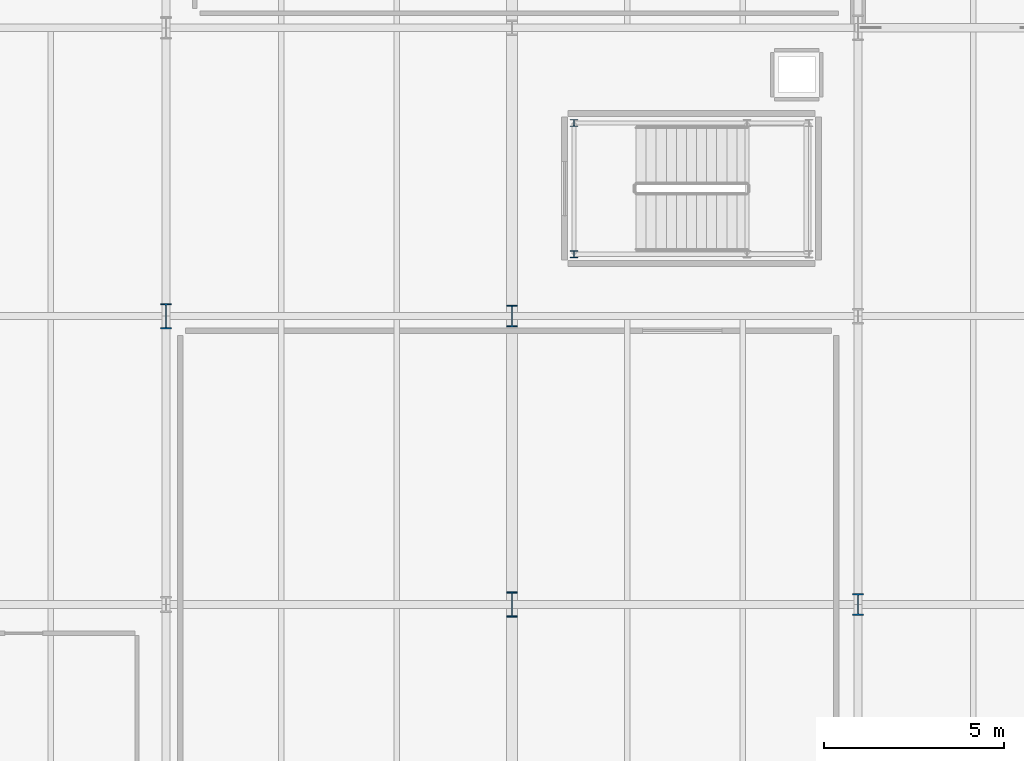
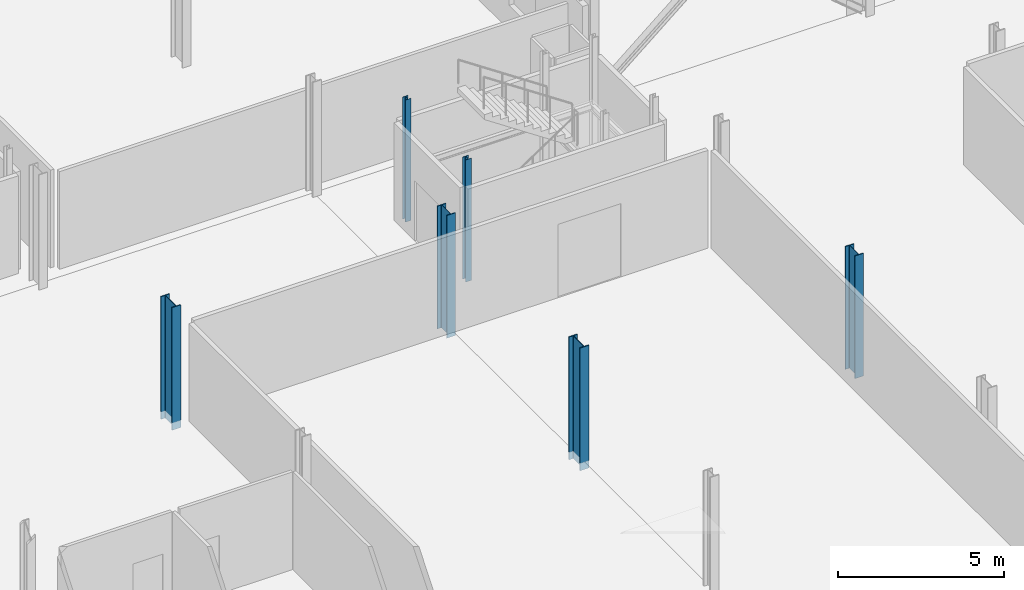
# One storey, part 12 of 78: 6 columns.
"""IFC4 building model written with IfcOpenShell, lengths in metres."""

from ifc_helpers import new_model, si_unit, direction, frame, origin, origin_2d, place, context, subcontext, project, spatial, i_section, extrude, material, material_profile, profile_set, type_object, element, save


model = new_model("IFC4")

# Units and contexts
model_context = context("Model", 3, precision=1e-05, world=origin(), true_north=direction((0.0, 1.0)))
body_context = subcontext(model_context, "Body", "Model", "MODEL_VIEW")
ifc_project = project(units=[si_unit("LENGTHUNIT", "METRE"), si_unit("AREAUNIT", "SQUARE_METRE"), si_unit("VOLUMEUNIT", "CUBIC_METRE"), si_unit("PLANEANGLEUNIT", "RADIAN"), si_unit("MASSUNIT", "GRAM", prefix="KILO")], contexts=[model_context])

# Site, building, storey
site_placement = place(None, origin())
site = spatial("IfcSite", under=ifc_project, at=site_placement, CompositionType="ELEMENT")
building_placement = place(site_placement, origin())
building = spatial("IfcBuilding", under=site, at=building_placement, Name="Alderhovde Museum", CompositionType="ELEMENT")
storey_placement = place(building_placement, origin())
storey = spatial("IfcBuildingStorey", under=building, at=storey_placement, Name="L00", CompositionType="ELEMENT", Elevation=0.0)

# Columns
ifc_material_1 = material(Name="Steel S355J2", Category="steel")
ifc_material_profile_1 = material_profile(ifc_material_1, i_section(OverallWidth=0.199951171875, OverallDepth=0.18994140625, WebThickness=0.006591796875, FlangeThickness=0.010009765625, FilletRadius=0.01806640625, at=origin_2d()), Name="HEA 200")
ifc_profile_set_1 = profile_set([ifc_material_profile_1], Name="Steel S355J2")
column_type_1 = type_object("IfcColumnType", Name="COL-HEA200", PredefinedType="COLUMN", material=ifc_profile_set_1)
for number, where, z_axis, x_axis, name in (
    (1, (49.719970703125, 73.719970703125, 0.0), (0.0, 0.0, 1.0), (1.0, 0.0, 0.0), "L00 Stair ST6 Shaft Column 1"),
    (2, (49.719970703125, 77.360107421875, 0.0), (0.0, 0.0, 1.0), (1.0, 0.0, 0.0), "L00 Stair ST6 Shaft Column 4"),
):
    element("IfcColumn", number, at=place(storey_placement, frame(where, z_axis=z_axis, x_axis=x_axis)), inside=storey, type_object=column_type_1, Name=name, PredefinedType="COLUMN", context=body_context, shape_type="SweptSolid", body=[
        extrude(i_section(OverallWidth=0.199951171875, OverallDepth=0.18994140625, WebThickness=0.006591796875, FlangeThickness=0.010009765625, FilletRadius=0.01806640625, at=origin_2d()), origin(), (0.0, 0.0, 1.0), 4.5),
    ])
ifc_material_2 = material(Name="Steel S355J2", Category="steel")
ifc_material_profile_2 = material_profile(ifc_material_2, i_section(OverallWidth=0.300048828125, OverallDepth=0.60009765625, WebThickness=0.015380859375, FlangeThickness=0.030029296875, FilletRadius=0.027099609375, at=origin_2d()), Name="HEB 600")
ifc_profile_set_2 = profile_set([ifc_material_profile_2], Name="Steel S355J2")
column_type_2 = type_object("IfcColumnType", Name="COL-HEB600", PredefinedType="COLUMN", material=ifc_profile_set_2)
for number, where, z_axis, x_axis, name in (
    (3, (48.0, 72.0, -0.280029296875), (0.0, 0.0, 1.0), (1.0, 0.0, 0.0), "L00 Column (48.0, 72.0)"),
    (4, (57.60009765625, 64.0, -0.280029296875), (0.0, 0.0, 1.0), (1.0, 0.0, 0.0), "L00 Column (57.6, 64.0)"),
):
    element("IfcColumn", number, at=place(storey_placement, frame(where, z_axis=z_axis, x_axis=x_axis)), inside=storey, type_object=column_type_2, Name=name, PredefinedType="COLUMN", context=body_context, shape_type="SweptSolid", body=[
        extrude(i_section(OverallWidth=0.300048828125, OverallDepth=0.60009765625, WebThickness=0.015380859375, FlangeThickness=0.030029296875, FilletRadius=0.027099609375, at=origin_2d()), origin(), (0.0, 0.0, 1.0), 4.52001953125),
    ])
ifc_material_3 = material(Name="Steel S355J2", Category="steel")
ifc_material_profile_3 = material_profile(ifc_material_3, i_section(OverallWidth=0.300048828125, OverallDepth=0.699951171875, WebThickness=0.01708984375, FlangeThickness=0.031982421875, FilletRadius=0.027099609375, at=origin_2d()), Name="HEB 700")
ifc_profile_set_3 = profile_set([ifc_material_profile_3], Name="Steel S355J2")
column_type_3 = type_object("IfcColumnType", Name="COL-HEB700", PredefinedType="COLUMN", material=ifc_profile_set_3)
for number, where, z_axis, x_axis, name in (
    (5, (38.39990234375, 72.0, -0.280029296875), (0.0, 0.0, 1.0), (1.0, 0.0, 0.0), "L00 Column (38.4, 72.0)"),
    (6, (48.0, 64.0, -0.280029296875), (0.0, 0.0, 1.0), (1.0, 0.0, 0.0), "L00 Column (48.0, 64.0)"),
):
    element("IfcColumn", number, at=place(storey_placement, frame(where, z_axis=z_axis, x_axis=x_axis)), inside=storey, type_object=column_type_3, Name=name, PredefinedType="COLUMN", context=body_context, shape_type="SweptSolid", body=[
        extrude(i_section(OverallWidth=0.300048828125, OverallDepth=0.699951171875, WebThickness=0.01708984375, FlangeThickness=0.031982421875, FilletRadius=0.027099609375, at=origin_2d()), origin(), (0.0, 0.0, 1.0), 4.52001953125),
    ])

save(model, "model.ifc")
